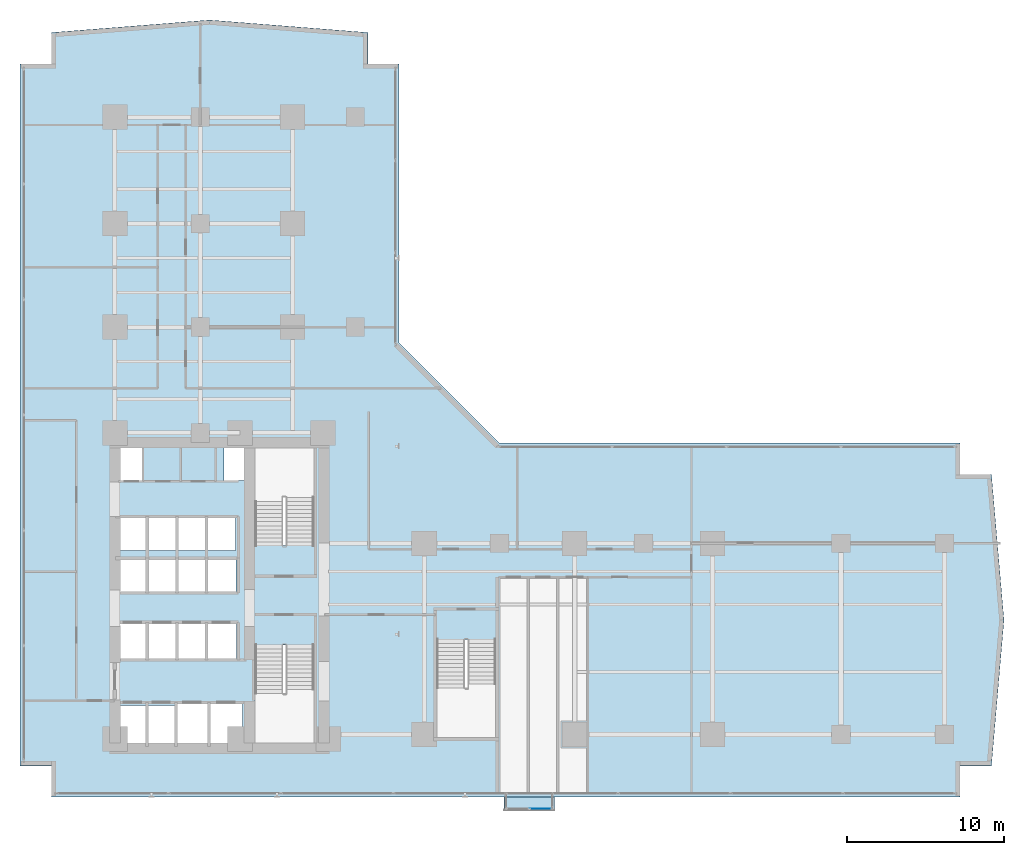
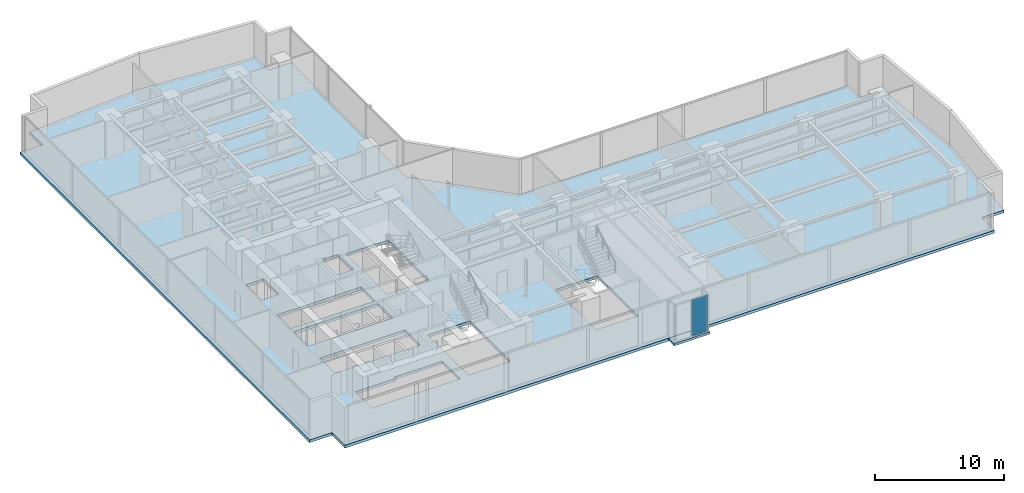
# One storey, part 21 of 29: 2 slabs, 1 plate, 1 element without a shape of its own.
"""IFC4 building model written with IfcOpenShell, lengths in metres."""

from ifc_helpers import new_model, si_unit, direction, frame, origin, origin_with_axes, origin_2d, place, context, subcontext, project, spatial, polyline, rectangle, outline, extrude, source, transform, mapped, material, layer, layer_set, type_object, element, aggregate, save


model = new_model("IFC4")

# Units and contexts
model_context = context("Model", 3, precision=1e-05, world=origin(), true_north=direction((0.0, 1.0)))
body_context = subcontext(model_context, "Body", "Model", "MODEL_VIEW")
ifc_project = project(units=[si_unit("LENGTHUNIT", "METRE"), si_unit("AREAUNIT", "SQUARE_METRE"), si_unit("VOLUMEUNIT", "CUBIC_METRE"), si_unit("PLANEANGLEUNIT", "RADIAN"), si_unit("MASSUNIT", "GRAM", prefix="KILO")], contexts=[model_context])

# Site, building, storey
site_placement = place(None, origin())
site = spatial("IfcSite", under=ifc_project, at=site_placement, CompositionType="ELEMENT")
building_placement = place(site_placement, origin())
building = spatial("IfcBuilding", under=site, at=building_placement, Name="Kolvaren Waterfront Exchange", CompositionType="ELEMENT")
storey_placement = place(building_placement, frame((0.0, 0.0, 37.199951171875)))
storey = spatial("IfcBuildingStorey", under=building, at=storey_placement, Name="L09", CompositionType="ELEMENT", Elevation=37.199951171875)

# Slabs
ifc_material_1 = material(Name="Concrete C40/50", Category="concrete")
ifc_layer_1 = layer(ifc_material_1, 0.260009765625, Name="Concrete C40/50")
ifc_layer_set_1 = layer_set([ifc_layer_1], Name="Concrete C40/50")
slab_type_1 = type_object("IfcSlabType", Name="STR-SLAB-260", PredefinedType="FLOOR", material=ifc_layer_set_1)
slab_1_placement = place(storey_placement, frame((0.0, 0.0, -0.260009765625)))
element("IfcSlab", 1, at=slab_1_placement, inside=storey, type_object=slab_type_1, Name="L09 structural floor slab", PredefinedType="FLOOR", context=body_context, shape_type="SweptSolid", body=[
    extrude(outline(polyline([(3.39990234375, 1.199951171875), (61.39990234375, 1.199951171875), (61.39990234375, 3.199951171875), (63.39990234375, 3.199951171875), (64.199951171875, 12.5), (63.39990234375, 21.800048828125), (61.39990234375, 21.800048828125), (61.39990234375, 23.800048828125), (32.0, 23.800048828125), (25.60009765625, 30.199951171875), (25.60009765625, 48.0), (23.60009765625, 48.0), (23.60009765625, 50.0), (13.5, 50.800048828125), (3.39990234375, 50.0), (3.39990234375, 48.0), (1.39990234375, 48.0), (1.39990234375, 3.199951171875), (3.39990234375, 3.199951171875), (3.39990234375, 1.199951171875)]), holes=[polyline([(11.320068359375, 7.260009765625), (15.610107421875, 7.260009765625), (15.610107421875, 4.5400390625), (7.719970703125, 4.5400390625), (7.719970703125, 7.06005859375), (11.320068359375, 7.06005859375), (11.320068359375, 7.260009765625)]), polyline([(20.159912109375, 4.64990234375), (16.39990234375, 4.64990234375), (16.39990234375, 10.89990234375), (20.159912109375, 10.89990234375), (20.159912109375, 4.64990234375)]), polyline([(31.760009765625, 5.0), (28.0, 5.0), (28.0, 11.25), (31.760009765625, 11.25), (31.760009765625, 5.0)]), polyline([(15.2099609375, 10.0400390625), (7.6201171875, 10.0400390625), (7.6201171875, 12.360107421875), (15.2099609375, 12.360107421875), (15.2099609375, 10.0400390625)]), polyline([(7.64501953125, 16.4599609375), (15.18505859375, 16.4599609375), (15.18505859375, 14.239990234375), (7.64501953125, 14.239990234375), (7.64501953125, 16.4599609375)]), polyline([(15.159912109375, 16.93994140625), (7.669921875, 16.93994140625), (7.669921875, 19.06005859375), (15.159912109375, 19.06005859375), (15.159912109375, 16.93994140625)]), polyline([(16.39990234375, 23.5), (20.159912109375, 23.5), (20.159912109375, 17.25), (16.39990234375, 17.25), (16.39990234375, 23.5)]), polyline([(7.60009765625, 23.780029296875), (9.179931640625, 23.780029296875), (9.179931640625, 21.419921875), (7.60009765625, 21.419921875), (7.60009765625, 23.780029296875)]), polyline([(15.800048828125, 23.780029296875), (15.800048828125, 21.419921875), (14.419921875, 21.419921875), (14.419921875, 23.780029296875), (15.800048828125, 23.780029296875)])]), origin(), (0.0, 0.0, 1.0), 0.260009765625),
])
ifc_layer_2 = layer(ifc_material_1, 0.219970703125, Name="Concrete C40/50")
ifc_layer_set_2 = layer_set([ifc_layer_2], Name="Concrete C40/50")
slab_type_2 = type_object("IfcSlabType", Name="STR-TERR-220", PredefinedType="FLOOR", material=ifc_layer_set_2)
slab_2_placement = place(storey_placement, frame((0.0, 0.0, -0.219970703125)))
element("IfcSlab", 2, at=slab_2_placement, inside=storey, type_object=slab_type_2, Name="L09 projecting bay-box floor strip", PredefinedType="FLOOR", context=body_context, shape_type="SweptSolid", body=[
    extrude(outline(polyline([(32.300048828125, 0.35009765625), (35.5, 0.35009765625), (35.5, 1.199951171875), (32.300048828125, 1.199951171875), (32.300048828125, 0.35009765625)])), origin(), (0.0, 0.0, 1.0), 0.219970703125),
])

# Curtain wall, plate
ifc_material_2 = material(Name="Anodised bronze aluminium 6063-T6", Category="aluminium")
ifc_layer_3 = layer(ifc_material_2, 0.219970703125, Name="Anodised bronze aluminium 6063-T6")
ifc_layer_set_3 = layer_set([ifc_layer_3], Name="Anodised bronze aluminium 6063-T6")
curtain_wall_type = type_object("IfcCurtainWallType", Name="ARC-CW-SYS3", PredefinedType="USERDEFINED", material=ifc_layer_set_3)
curtain_wall_placement = place(storey_placement, origin())
curtain_wall = element("IfcCurtainWall", 3, at=curtain_wall_placement, inside=storey, type_object=curtain_wall_type, Name="L09 stick curtain wall CW3 (CW-L09-BOX)", ObjectType="STICK CURTAIN WALL", PredefinedType="USERDEFINED")
ifc_material_3 = material(Name="Bronze tinted bay-box vision glass", Category="aluminium")
ifc_layer_4 = layer(ifc_material_3, 0.02392578125, Name="Bronze tinted bay-box vision glass")
ifc_layer_set_4 = layer_set([ifc_layer_4], Name="Bronze tinted bay-box vision glass")
plate_type = type_object("IfcPlateType", Name="ARC-CWP-24", PredefinedType="CURTAIN_PANEL", material=ifc_layer_set_4)
shared_shape = source(origin_with_axes(), body_context, "Body", "SweptSolid", [
    extrude(rectangle(XDim=1.37744140625, YDim=0.02392578125, at=origin_2d()), origin(), (0.0, 0.0, 1.0), 3.409912109375),
])
plate_placement = place(storey_placement, frame((34.626220703125, 0.4599609375, 0.06494140625), z_axis=(0.0, 0.0, 1.0), x_axis=(1.0, 0.0, 0.0)))
plate = element("IfcPlate", 4, at=plate_placement, type_object=plate_type, Name="CW3 panel 2.1", PredefinedType="CURTAIN_PANEL", context=body_context, shape_type="MappedRepresentation", body=[
    mapped(shared_shape, transform((0.0, 0.0, 0.0), x_axis=(1.0, 0.0, 0.0), y_axis=(0.0, 1.0, 0.0), z_axis=(0.0, 0.0, 1.0), scale=1.0)),
])
aggregate(curtain_wall, [plate])

save(model, "model.ifc")
